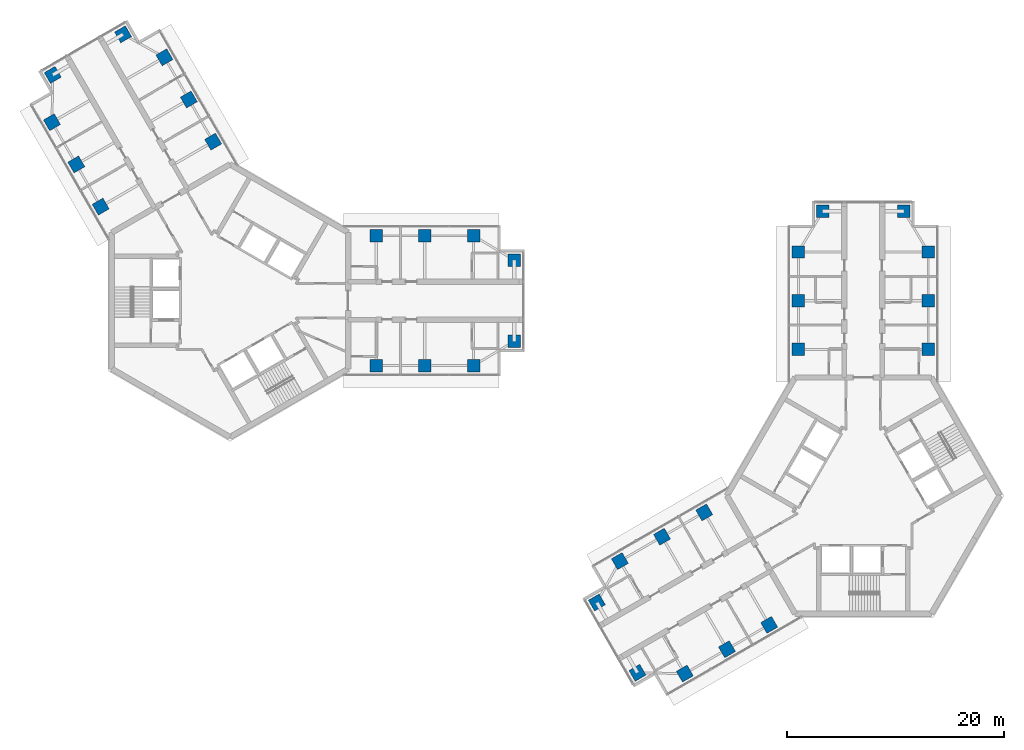
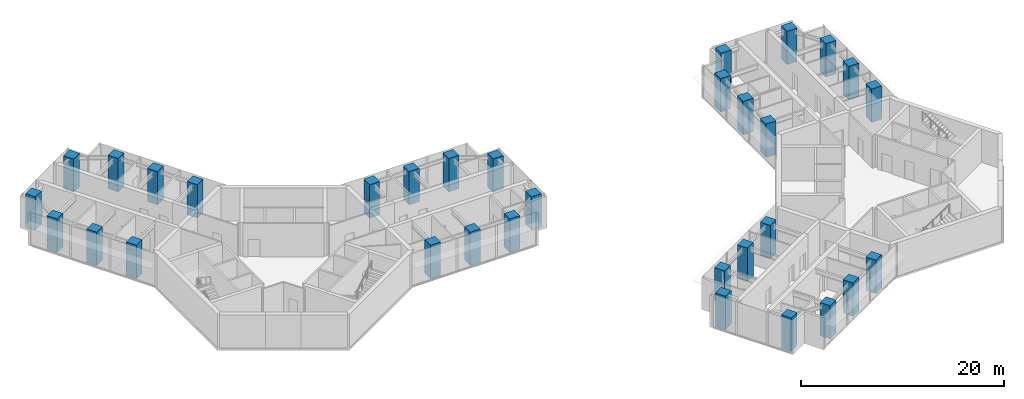
# One storey, part 1 of 17: 32 columns.
"""IFC4 building model written with IfcOpenShell, lengths in metres."""

from ifc_helpers import new_model, si_unit, direction, frame, origin, origin_2d, place, context, subcontext, project, spatial, rectangle, extrude, material, material_profile, profile_set, type_object, element, save


model = new_model("IFC4")

# Units and contexts
model_context = context("Model", 3, precision=1e-05, world=origin(), true_north=direction((0.0, 1.0)))
body_context = subcontext(model_context, "Body", "Model", "MODEL_VIEW")
ifc_project = project(units=[si_unit("LENGTHUNIT", "METRE"), si_unit("AREAUNIT", "SQUARE_METRE"), si_unit("VOLUMEUNIT", "CUBIC_METRE"), si_unit("PLANEANGLEUNIT", "RADIAN"), si_unit("MASSUNIT", "GRAM", prefix="KILO")], contexts=[model_context])

# Site, building, storey
site_placement = place(None, origin())
site = spatial("IfcSite", under=ifc_project, at=site_placement, CompositionType="ELEMENT")
building_placement = place(site_placement, origin())
building = spatial("IfcBuilding", under=site, at=building_placement, Name="Upepo Twin Towers", CompositionType="ELEMENT")
storey_placement = place(building_placement, frame((0.0, 0.0, 194.5)))
storey = spatial("IfcBuildingStorey", under=building, at=storey_placement, Name="L47", CompositionType="ELEMENT", Elevation=194.5)

# Columns
ifc_material = material(Name="Concrete C60/75", Category="concrete")
ifc_material_profile = material_profile(ifc_material, rectangle(XDim=1.14990234375, YDim=1.14990234375, at=origin_2d()), Name="RC 1150x1150")
ifc_profile_set = profile_set([ifc_material_profile], Name="Concrete C60/75")
column_type = type_object("IfcColumnType", Name="Tower column RC 1150x1150", PredefinedType="COLUMN", material=ifc_profile_set)
for number, where, z_axis, x_axis, name in (
    (1, (13.5, 6.0, 0.0), (0.0, 0.0, 1.0), (1.0, 0.0, 0.0), "T1 column AL135"),
    (2, (13.5, -6.0, 0.0), (0.0, 0.0, 1.0), (1.0, 0.0, 0.0), "T1 column AR135"),
    (3, (18.0, 6.0, 0.0), (0.0, 0.0, 1.0), (1.0, 0.0, 0.0), "T1 column AL180"),
    (4, (18.0, -6.0, 0.0), (0.0, 0.0, 1.0), (1.0, 0.0, 0.0), "T1 column AR180"),
    (5, (22.5, 6.0, 0.0), (0.0, 0.0, 1.0), (1.0, 0.0, 0.0), "T1 column AL225"),
    (6, (22.5, -6.0, 0.0), (0.0, 0.0, 1.0), (1.0, 0.0, 0.0), "T1 column AR225"),
    (7, (26.25, 3.75, 0.0), (0.0, 0.0, 1.0), (1.0, 0.0, 0.0), "T1 column ALN"),
    (8, (26.25, -3.75, 0.0), (0.0, 0.0, 1.0), (1.0, 0.0, 0.0), "T1 column ARN"),
    (9, (-11.946044921875, 8.69140625, 0.0), (0.0, 0.0, 1.0), (0.866025403784, 0.5, 0.0), "T1 column BL135"),
    (10, (-1.553955078125, 14.69140625, 0.0), (0.0, 0.0, 1.0), (0.866025403784, 0.5, 0.0), "T1 column BR135"),
    (11, (-14.196044921875, 12.58837890625, 0.0), (0.0, 0.0, 1.0), (0.866025403784, 0.5, 0.0), "T1 column BL180"),
    (12, (-3.803955078125, 18.58837890625, 0.0), (0.0, 0.0, 1.0), (0.866025403784, 0.5, 0.0), "T1 column BR180"),
    (13, (-16.446044921875, 16.485595703125, 0.0), (0.0, 0.0, 1.0), (0.866025403784, 0.5, 0.0), "T1 column BL225"),
    (14, (-6.053955078125, 22.485595703125, 0.0), (0.0, 0.0, 1.0), (0.866025403784, 0.5, 0.0), "T1 column BR225"),
    (15, (-16.37255859375, 20.858154296875, 0.0), (0.0, 0.0, 1.0), (0.866025403784, 0.5, 0.0), "T1 column BLN"),
    (16, (-9.87744140625, 24.608154296875, 0.0), (0.0, 0.0, 1.0), (0.866025403784, 0.5, 0.0), "T1 column BRN"),
    (17, (52.5, -4.5, 0.0), (0.0, 0.0, 1.0), (1.0, 0.0, 0.0), "T2 column AL135"),
    (18, (64.5, -4.5, 0.0), (0.0, 0.0, 1.0), (1.0, 0.0, 0.0), "T2 column AR135"),
    (19, (52.5, 0.0, 0.0), (0.0, 0.0, 1.0), (1.0, 0.0, 0.0), "T2 column AL180"),
    (20, (64.5, 0.0, 0.0), (0.0, 0.0, 1.0), (1.0, 0.0, 0.0), "T2 column AR180"),
    (21, (52.5, 4.5, 0.0), (0.0, 0.0, 1.0), (1.0, 0.0, 0.0), "T2 column AL225"),
    (22, (64.5, 4.5, 0.0), (0.0, 0.0, 1.0), (1.0, 0.0, 0.0), "T2 column AR225"),
    (23, (54.75, 8.25, 0.0), (0.0, 0.0, 1.0), (1.0, 0.0, 0.0), "T2 column ALN"),
    (24, (62.25, 8.25, 0.0), (0.0, 0.0, 1.0), (1.0, 0.0, 0.0), "T2 column ARN"),
    (25, (49.80859375, -29.946044921875, 0.0), (0.0, 0.0, 1.0), (0.866025403784, 0.5, 0.0), "T2 column BL135"),
    (26, (43.80859375, -19.553955078125, 0.0), (0.0, 0.0, 1.0), (0.866025403784, 0.5, 0.0), "T2 column BR135"),
    (27, (45.91162109375, -32.196044921875, 0.0), (0.0, 0.0, 1.0), (0.866025403784, 0.5, 0.0), "T2 column BL180"),
    (28, (39.91162109375, -21.803955078125, 0.0), (0.0, 0.0, 1.0), (0.866025403784, 0.5, 0.0), "T2 column BR180"),
    (29, (42.014404296875, -34.446044921875, 0.0), (0.0, 0.0, 1.0), (0.866025403784, 0.5, 0.0), "T2 column BL225"),
    (30, (36.014404296875, -24.053955078125, 0.0), (0.0, 0.0, 1.0), (0.866025403784, 0.5, 0.0), "T2 column BR225"),
    (31, (37.641845703125, -34.37255859375, 0.0), (0.0, 0.0, 1.0), (0.866025403784, 0.5, 0.0), "T2 column BLN"),
    (32, (33.891845703125, -27.87744140625, 0.0), (0.0, 0.0, 1.0), (0.866025403784, 0.5, 0.0), "T2 column BRN"),
):
    element("IfcColumn", number, at=place(storey_placement, frame(where, z_axis=z_axis, x_axis=x_axis)), inside=storey, type_object=column_type, Name=name, PredefinedType="COLUMN", context=body_context, shape_type="SweptSolid", body=[
        extrude(rectangle(XDim=1.14990234375, YDim=1.14990234375, at=origin_2d()), origin(), (0.0, 0.0, 1.0), 4.0),
    ])

save(model, "model.ifc")
